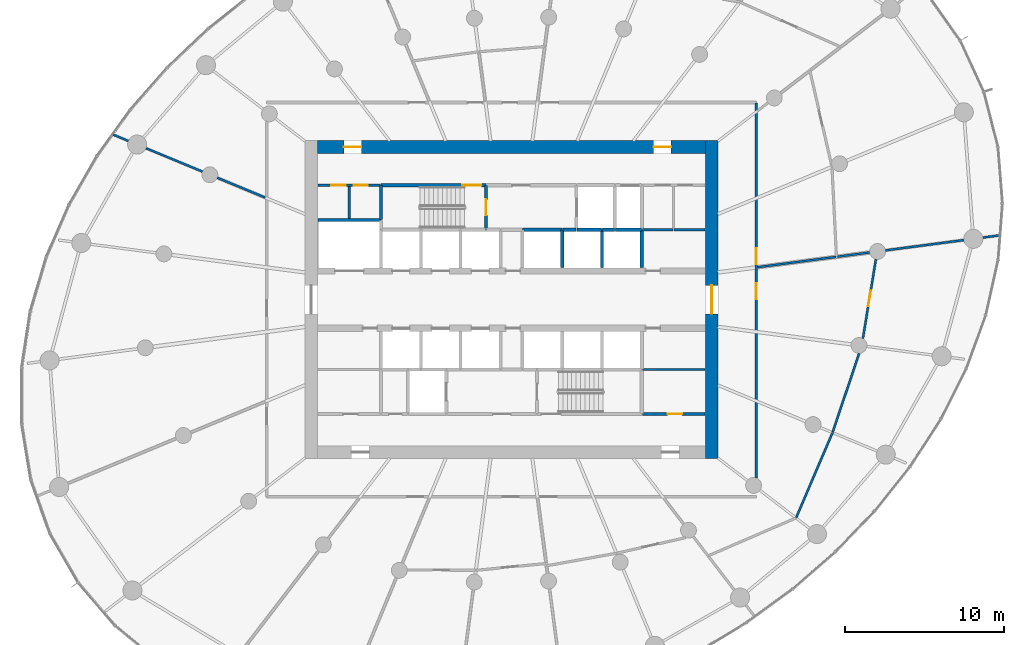
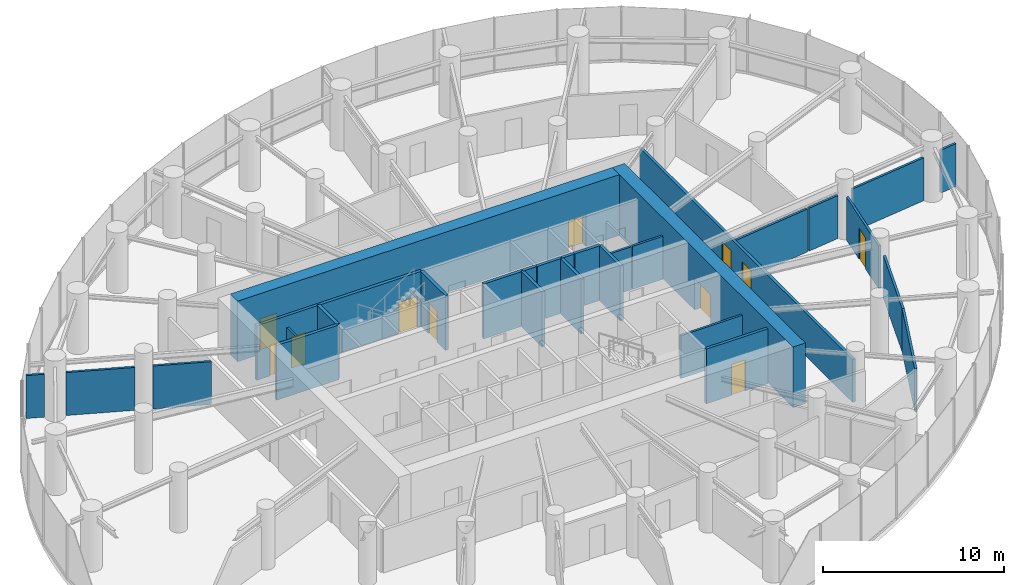
# One storey, part 12 of 17: 31 walls, 11 doors, 11 openings.
"""IFC4 building model written with IfcOpenShell, lengths in metres."""

from ifc_helpers import new_model, si_unit, direction, frame, frame_2d, origin, place, context, subcontext, project, spatial, rectangle, extrude, source, transform, mapped, material, layer, layer_set, type_object, element, fill, save


model = new_model("IFC4")

# Units and contexts
model_context = context("Model", 3, precision=1e-05, world=origin(), true_north=direction((0.0, 1.0)))
body_context = subcontext(model_context, "Body", "Model", "MODEL_VIEW")
ifc_project = project(units=[si_unit("LENGTHUNIT", "METRE"), si_unit("AREAUNIT", "SQUARE_METRE"), si_unit("VOLUMEUNIT", "CUBIC_METRE"), si_unit("PLANEANGLEUNIT", "RADIAN"), si_unit("MASSUNIT", "GRAM", prefix="KILO")], contexts=[model_context])

# Site, building, storey
site_placement = place(None, origin())
site = spatial("IfcSite", under=ifc_project, at=site_placement, CompositionType="ELEMENT")
building_placement = place(site_placement, origin())
building = spatial("IfcBuilding", under=site, at=building_placement, Name="Spindrift Exchange Tower", CompositionType="ELEMENT")
storey_placement = place(building_placement, frame((0.0, 0.0, 120.800048828125)))
storey = spatial("IfcBuildingStorey", under=building, at=storey_placement, Name="L28", CompositionType="ELEMENT", Elevation=120.800048828125)

# Wall, opening, door
ifc_material_1 = material(Name="Concrete 65 MPa", Category="concrete")
ifc_layer_1 = layer(ifc_material_1, 0.800048828125)
ifc_layer_set_1 = layer_set([ifc_layer_1], Name="RC Core Wall 800 Concrete 65 MPa")
wall_type_1 = type_object("IfcWallType", Name="RC Core Wall 800 Concrete 65 MPa", PredefinedType="SHEAR", material=ifc_layer_set_1)
wall_1_placement = place(storey_placement, frame((64.60009765625, 38.0, 0.0), z_axis=(0.0, 0.0, 1.0), x_axis=(0.0, 1.0, 0.0)))
wall_1 = element("IfcWall", 1, at=wall_1_placement, inside=storey, type_object=wall_type_1, Name="Core wall E L28", PredefinedType="SHEAR", context=body_context, shape_type="SweptSolid", body=[
    extrude(rectangle(XDim=20.0, YDim=0.800048828125, at=frame_2d((10.0, 0.0))), origin(), (0.0, 0.0, 1.0), 4.099853515625),
])
opening_1_placement = place(wall_1_placement, frame((9.10009765625, 0.0, 0.0)))
opening_1 = element("IfcOpeningElement", 2, at=opening_1_placement, cuts=wall_1, Name="Opening L28-D2", PredefinedType="OPENING", context=body_context, shape_type="SweptSolid", body=[
    extrude(rectangle(XDim=1.800048828125, YDim=2.10009765625, at=frame_2d((0.89990234375, 1.050048828125))), frame((0.0, 0.409912109375, 0.0), z_axis=(0.0, -1.0, 0.0), x_axis=(1.0, 0.0, 0.0)), (0.0, 0.0, 1.0), 0.820068359375),
])
ifc_material_2 = material(Name="Timber-core fire door", Category="wood")
door_type_1 = type_object("IfcDoorType", Name="DR-LOBBY-1800", OperationType="NOTDEFINED", PredefinedType="DOOR", material=ifc_material_2)
shared_shape_1 = source(origin(), body_context, "Body", "SweptSolid", [
    extrude(rectangle(XDim=1.800048828125, YDim=2.10009765625, at=frame_2d((0.89990234375, 1.050048828125))), frame((0.0, 0.02490234375, 0.0), z_axis=(0.0, -1.0, 0.0), x_axis=(1.0, 0.0, 0.0)), (0.0, 0.0, 1.0), 0.050048828125),
])
door_1_placement = place(opening_1_placement, origin())
door_1 = element("IfcDoor", 3, at=door_1_placement, inside=storey, type_object=door_type_1, Name="L28 Lobby door 2", OperationType="SINGLE_SWING_LEFT", OverallHeight=2.10009765625, OverallWidth=1.800048828125, PredefinedType="DOOR", context=body_context, shape_type="MappedRepresentation", body=[
    mapped(shared_shape_1, transform((0.0, 0.0, 0.0), scale=1.0)),
])
fill(opening_1, door_1)

# Wall, openings, doors
wall_2_placement = place(storey_placement, frame((64.199951171875, 57.60009765625, 0.0), z_axis=(0.0, 0.0, 1.0), x_axis=(-1.0, 0.0, 0.0)))
wall_2 = element("IfcWall", 4, at=wall_2_placement, inside=storey, type_object=wall_type_1, Name="Core wall N L28", PredefinedType="SHEAR", context=body_context, shape_type="SweptSolid", body=[
    extrude(rectangle(XDim=24.39990234375, YDim=0.800048828125, at=frame_2d((12.199951171875, 0.0))), origin(), (0.0, 0.0, 1.0), 4.099853515625),
])
opening_2_placement = place(wall_2_placement, frame((21.64990234375, 0.0, 0.0)))
opening_2 = element("IfcOpeningElement", 5, at=opening_2_placement, cuts=wall_2, Name="Opening L28-D20", PredefinedType="OPENING", context=body_context, shape_type="SweptSolid", body=[
    extrude(rectangle(XDim=1.10009765625, YDim=2.10009765625, at=frame_2d((0.550048828125, 1.050048828125))), frame((0.0, 0.409912109375, 0.0), z_axis=(0.0, -1.0, 0.0), x_axis=(1.0, 0.0, 0.0)), (0.0, 0.0, 1.0), 0.820068359375),
])
opening_3_placement = place(wall_2_placement, frame((2.14990234375, 0.0, 0.0)))
opening_3 = element("IfcOpeningElement", 6, at=opening_3_placement, cuts=wall_2, Name="Opening L28-D21", PredefinedType="OPENING", context=body_context, shape_type="SweptSolid", body=[
    extrude(rectangle(XDim=1.10009765625, YDim=2.10009765625, at=frame_2d((0.550048828125, 1.050048828125))), frame((0.0, 0.409912109375, 0.0), z_axis=(0.0, -1.0, 0.0), x_axis=(1.0, 0.0, 0.0)), (0.0, 0.0, 1.0), 0.820068359375),
])
ifc_material_3 = material(Name="Steel fire door", Category="steel")
door_type_2 = type_object("IfcDoorType", Name="DR-STAIR-1100", OperationType="NOTDEFINED", PredefinedType="DOOR", material=ifc_material_3)
shared_shape_2 = source(origin(), body_context, "Body", "SweptSolid", [
    extrude(rectangle(XDim=1.10009765625, YDim=2.10009765625, at=frame_2d((0.550048828125, 1.050048828125))), frame((0.0, 0.02490234375, 0.0), z_axis=(0.0, -1.0, 0.0), x_axis=(1.0, 0.0, 0.0)), (0.0, 0.0, 1.0), 0.050048828125),
])
door_2_placement = place(opening_2_placement, origin())
door_2 = element("IfcDoor", 7, at=door_2_placement, inside=storey, type_object=door_type_2, Name="L28 Stair door 20", OperationType="SINGLE_SWING_LEFT", OverallHeight=2.10009765625, OverallWidth=1.10009765625, PredefinedType="DOOR", context=body_context, shape_type="MappedRepresentation", body=[
    mapped(shared_shape_2, transform((0.0, 0.0, 0.0), scale=1.0)),
])
fill(opening_2, door_2)
door_3_placement = place(opening_3_placement, origin())
door_3 = element("IfcDoor", 8, at=door_3_placement, inside=storey, type_object=door_type_2, Name="L28 Stair door 21", OperationType="SINGLE_SWING_RIGHT", OverallHeight=2.10009765625, OverallWidth=1.10009765625, PredefinedType="DOOR", context=body_context, shape_type="MappedRepresentation", body=[
    mapped(shared_shape_2, transform((0.0, 0.0, 0.0), scale=1.0)),
])
fill(opening_3, door_3)

# Wall, opening, door
ifc_material_4 = material(Name="Fire-rated plasterboard partition", Category="gypsum")
ifc_layer_2 = layer(ifc_material_4, 0.179931640625)
ifc_layer_set_2 = layer_set([ifc_layer_2], Name="W-CORR-180")
wall_type_2 = type_object("IfcWallType", Name="W-CORR-180", PredefinedType="PARTITIONING", material=ifc_layer_set_2)
wall_3_placement = place(storey_placement, frame((60.22998046875, 40.800048828125, 0.0), z_axis=(0.0, 0.0, 1.0), x_axis=(1.0, 0.0, 0.0)))
wall_3 = element("IfcWall", 9, at=wall_3_placement, inside=storey, type_object=wall_type_2, Name="L28 Partition wall 61", PredefinedType="PARTITIONING", context=body_context, shape_type="SweptSolid", body=[
    extrude(rectangle(XDim=3.949951171875, YDim=0.179931640625, at=frame_2d((1.97509765625, 0.0))), origin(), (0.0, 0.0, 1.0), 3.699951171875),
])
opening_4_placement = place(wall_3_placement, frame((1.60009765625, 0.0, 0.0)))
opening_4 = element("IfcOpeningElement", 10, at=opening_4_placement, cuts=wall_3, Name="Opening L28-D51", PredefinedType="OPENING", context=body_context, shape_type="SweptSolid", body=[
    extrude(rectangle(XDim=0.89990234375, YDim=2.10009765625, at=frame_2d((0.449951171875, 1.050048828125))), frame((0.0, 0.099853515625, 0.0), z_axis=(0.0, -1.0, 0.0), x_axis=(1.0, 0.0, 0.0)), (0.0, 0.0, 1.0), 0.199951171875),
])
ifc_material_5 = material(Name="Steel access door", Category="steel")
door_type_3 = type_object("IfcDoorType", Name="DR-RISER-900", OperationType="NOTDEFINED", PredefinedType="DOOR", material=ifc_material_5)
shared_shape_3 = source(origin(), body_context, "Body", "SweptSolid", [
    extrude(rectangle(XDim=0.89990234375, YDim=2.10009765625, at=frame_2d((0.449951171875, 1.050048828125))), frame((0.0, 0.02490234375, 0.0), z_axis=(0.0, -1.0, 0.0), x_axis=(1.0, 0.0, 0.0)), (0.0, 0.0, 1.0), 0.050048828125),
])
door_4_placement = place(opening_4_placement, origin())
door_4 = element("IfcDoor", 11, at=door_4_placement, inside=storey, type_object=door_type_3, Name="L28 Riser door 51", OperationType="SINGLE_SWING_RIGHT", OverallHeight=2.10009765625, OverallWidth=0.89990234375, PredefinedType="DOOR", context=body_context, shape_type="MappedRepresentation", body=[
    mapped(shared_shape_3, transform((0.0, 0.0, 0.0), scale=1.0)),
])
fill(opening_4, door_4)

# Wall, openings, doors
wall_4_placement = place(storey_placement, frame((43.77001953125, 55.199951171875, 0.0), z_axis=(0.0, 0.0, 1.0), x_axis=(-1.0, 0.0, 0.0)))
wall_4 = element("IfcWall", 12, at=wall_4_placement, inside=storey, type_object=wall_type_2, Name="L28 Partition wall 64", PredefinedType="PARTITIONING", context=body_context, shape_type="SweptSolid", body=[
    extrude(rectangle(XDim=3.949951171875, YDim=0.179931640625, at=frame_2d((1.97509765625, 0.0))), origin(), (0.0, 0.0, 1.0), 3.699951171875),
])
opening_5_placement = place(wall_4_placement, frame((2.199951171875, 0.0, 0.0)))
opening_5 = element("IfcOpeningElement", 13, at=opening_5_placement, cuts=wall_4, Name="Opening L28-D44", PredefinedType="OPENING", context=body_context, shape_type="SweptSolid", body=[
    extrude(rectangle(XDim=0.89990234375, YDim=2.10009765625, at=frame_2d((0.449951171875, 1.050048828125))), frame((0.0, 0.099853515625, 0.0), z_axis=(0.0, -1.0, 0.0), x_axis=(1.0, 0.0, 0.0)), (0.0, 0.0, 1.0), 0.199951171875),
])
opening_6_placement = place(wall_4_placement, frame((0.800048828125, 0.0, 0.0)))
opening_6 = element("IfcOpeningElement", 14, at=opening_6_placement, cuts=wall_4, Name="Opening L28-D45", PredefinedType="OPENING", context=body_context, shape_type="SweptSolid", body=[
    extrude(rectangle(XDim=0.89990234375, YDim=2.10009765625, at=frame_2d((0.449951171875, 1.050048828125))), frame((0.0, 0.099853515625, 0.0), z_axis=(0.0, -1.0, 0.0), x_axis=(1.0, 0.0, 0.0)), (0.0, 0.0, 1.0), 0.199951171875),
])
door_5_placement = place(opening_5_placement, origin())
door_5 = element("IfcDoor", 15, at=door_5_placement, inside=storey, type_object=door_type_3, Name="L28 Riser door 44", OperationType="SINGLE_SWING_LEFT", OverallHeight=2.10009765625, OverallWidth=0.89990234375, PredefinedType="DOOR", context=body_context, shape_type="MappedRepresentation", body=[
    mapped(shared_shape_3, transform((0.0, 0.0, 0.0), scale=1.0)),
])
fill(opening_5, door_5)
door_6_placement = place(opening_6_placement, origin())
door_6 = element("IfcDoor", 16, at=door_6_placement, inside=storey, type_object=door_type_3, Name="L28 Riser door 45", OperationType="SINGLE_SWING_RIGHT", OverallHeight=2.10009765625, OverallWidth=0.89990234375, PredefinedType="DOOR", context=body_context, shape_type="MappedRepresentation", body=[
    mapped(shared_shape_3, transform((0.0, 0.0, 0.0), scale=1.0)),
])
fill(opening_6, door_6)

# Walls
ifc_layer_3 = layer(ifc_material_4, 0.139892578125)
ifc_layer_set_3 = layer_set([ifc_layer_3], Name="W-PART-140")
wall_type_3 = type_object("IfcWallType", Name="W-PART-140", PredefinedType="PARTITIONING", material=ifc_layer_set_3)
wall_5_placement = place(storey_placement, frame((75.533935546875, 51.098388671875, 0.0), z_axis=(0.0, 0.0, 1.0), x_axis=(0.991443414541, 0.130537181533, 0.0)))
element("IfcWall", 17, at=wall_5_placement, inside=storey, type_object=wall_type_3, Name="L28 Partition wall 80", PredefinedType="PARTITIONING", context=body_context, shape_type="SweptSolid", body=[
    extrude(rectangle(XDim=4.965576171875, YDim=0.139892578125, at=frame_2d((2.48291015625, 0.0))), origin(), (0.0, 0.0, 1.0), 2.89990234375),
])
wall_6_placement = place(storey_placement, frame((60.22998046875, 43.60009765625, 0.0), z_axis=(0.0, 0.0, 1.0), x_axis=(1.0, 0.0, 0.0)))
element("IfcWall", 18, at=wall_6_placement, inside=storey, type_object=wall_type_3, Name="L28 Partition wall 93", PredefinedType="PARTITIONING", context=body_context, shape_type="SweptSolid", body=[
    extrude(rectangle(XDim=3.949951171875, YDim=0.139892578125, at=frame_2d((1.97509765625, 0.0))), origin(), (0.0, 0.0, 1.0), 2.89990234375),
])
wall_7_placement = place(storey_placement, frame((41.800048828125, 53.10009765625, 0.0), z_axis=(0.0, 0.0, 1.0), x_axis=(0.0, 1.0, 0.0)))
element("IfcWall", 19, at=wall_7_placement, inside=storey, type_object=wall_type_3, Name="L28 Partition wall 106", PredefinedType="PARTITIONING", context=body_context, shape_type="SweptSolid", body=[
    extrude(rectangle(XDim=2.010009765625, YDim=0.139892578125, at=frame_2d((1.0048828125, 0.0))), origin(), (0.0, 0.0, 1.0), 2.89990234375),
])
wall_8_placement = place(storey_placement, frame((62.169921875, 52.39990234375, 0.0), z_axis=(0.0, 0.0, 1.0), x_axis=(-1.0, 0.0, 0.0)))
element("IfcWall", 20, at=wall_8_placement, inside=storey, type_object=wall_type_3, Name="L28 Partition wall 113", PredefinedType="PARTITIONING", context=body_context, shape_type="SweptSolid", body=[
    extrude(rectangle(XDim=1.93994140625, YDim=0.139892578125, at=frame_2d((0.969970703125, 0.0))), origin(), (0.0, 0.0, 1.0), 2.89990234375),
])
wall_9_placement = place(storey_placement, frame((64.179931640625, 52.39990234375, 0.0), z_axis=(0.0, 0.0, 1.0), x_axis=(-1.0, 0.0, 0.0)))
element("IfcWall", 21, at=wall_9_placement, inside=storey, type_object=wall_type_3, Name="L28 Partition wall 114", PredefinedType="PARTITIONING", context=body_context, shape_type="SweptSolid", body=[
    extrude(rectangle(XDim=1.949951171875, YDim=0.139892578125, at=frame_2d((0.97509765625, 0.0))), origin(), (0.0, 0.0, 1.0), 2.89990234375),
])
wall_10_placement = place(storey_placement, frame((81.655517578125, 51.904296875, 0.0), z_axis=(0.0, 0.0, 1.0), x_axis=(0.991445519925, 0.130521189931, 0.0)))
element("IfcWall", 22, at=wall_10_placement, inside=storey, type_object=wall_type_3, Name="L28 Partition wall 123", PredefinedType="PARTITIONING", context=body_context, shape_type="SweptSolid", body=[
    extrude(rectangle(XDim=1.0419921875, YDim=0.139892578125, at=frame_2d((0.52099609375, 0.0))), origin(), (0.0, 0.0, 1.0), 2.89990234375),
])
ifc_layer_4 = layer(ifc_material_4, 0.139892578125)
ifc_layer_set_4 = layer_set([ifc_layer_4], Name="W-PLANT-140")
wall_type_4 = type_object("IfcWallType", Name="W-PLANT-140", PredefinedType="PARTITIONING", material=ifc_layer_set_4)
wall_11_placement = place(storey_placement, frame((69.913818359375, 34.290771484375, 0.0), z_axis=(0.0, 0.0, 1.0), x_axis=(0.393178832884, 0.919462019538, 0.0)))
element("IfcWall", 23, at=wall_11_placement, inside=storey, type_object=wall_type_4, Name="L28 Partition wall 72", PredefinedType="PARTITIONING", context=body_context, shape_type="SweptSolid", body=[
    extrude(rectangle(XDim=5.810791015625, YDim=0.139892578125, at=frame_2d((2.9052734375, 0.0))), origin(), (0.0, 0.0, 1.0), 2.89990234375),
])
wall_12_placement = place(storey_placement, frame((72.2080078125, 39.661865234375, 0.0), z_axis=(0.0, 0.0, 1.0), x_axis=(0.318132842264, 0.948046145856, 0.0)))
element("IfcWall", 24, at=wall_12_placement, inside=storey, type_object=wall_type_4, Name="L28 Partition wall 76", PredefinedType="PARTITIONING", context=body_context, shape_type="SweptSolid", body=[
    extrude(rectangle(XDim=5.226806640625, YDim=0.139892578125, at=frame_2d((2.61328125, 0.0))), origin(), (0.0, 0.0, 1.0), 2.89990234375),
])
wall_13_placement = place(storey_placement, frame((67.489990234375, 50.039306640625, 0.0), z_axis=(0.0, 0.0, 1.0), x_axis=(0.991445927378, 0.130518094863, 0.0)))
element("IfcWall", 25, at=wall_13_placement, inside=storey, type_object=wall_type_4, Name="L28 Partition wall 78", PredefinedType="PARTITIONING", context=body_context, shape_type="SweptSolid", body=[
    extrude(rectangle(XDim=4.96630859375, YDim=0.139892578125, at=frame_2d((2.483154296875, 0.0))), origin(), (0.0, 0.0, 1.0), 2.89990234375),
])

# Wall, opening, door
wall_14_placement = place(storey_placement, frame((74.927490234375, 50.5390625, 0.0), z_axis=(0.0, 0.0, 1.0), x_axis=(-0.16231055227, -0.986739724863, 0.0)))
wall_14 = element("IfcWall", 26, at=wall_14_placement, inside=storey, type_object=wall_type_4, Name="L28 Partition wall 79", PredefinedType="PARTITIONING", context=body_context, shape_type="SweptSolid", body=[
    extrude(rectangle(XDim=5.04345703125, YDim=0.139892578125, at=frame_2d((2.521728515625, 0.0))), origin(), (0.0, 0.0, 1.0), 2.89990234375),
])
opening_7_placement = place(wall_14_placement, frame((1.993408203125, 0.0, 0.0)))
opening_7 = element("IfcOpeningElement", 27, at=opening_7_placement, cuts=wall_14, Name="Opening L28-D37", PredefinedType="OPENING", context=body_context, shape_type="SweptSolid", body=[
    extrude(rectangle(XDim=1.0, YDim=2.10009765625, at=frame_2d((0.5, 1.050048828125))), frame((0.0, 0.079833984375, 0.0), z_axis=(0.0, -1.0, 0.0), x_axis=(1.0, 0.0, 0.0)), (0.0, 0.0, 1.0), 0.159912109375),
])
door_type_4 = type_object("IfcDoorType", Name="DR-ROOM-1000", OperationType="NOTDEFINED", PredefinedType="DOOR", material=ifc_material_2)
shared_shape_4 = source(origin(), body_context, "Body", "SweptSolid", [
    extrude(rectangle(XDim=1.0, YDim=2.10009765625, at=frame_2d((0.5, 1.050048828125))), frame((0.0, 0.02490234375, 0.0), z_axis=(0.0, -1.0, 0.0), x_axis=(1.0, 0.0, 0.0)), (0.0, 0.0, 1.0), 0.050048828125),
])
door_7_placement = place(opening_7_placement, origin())
door_7 = element("IfcDoor", 28, at=door_7_placement, inside=storey, type_object=door_type_4, Name="L28 Door 37", OperationType="SINGLE_SWING_RIGHT", OverallHeight=2.10009765625, OverallWidth=1.0, PredefinedType="DOOR", context=body_context, shape_type="MappedRepresentation", body=[
    mapped(shared_shape_4, transform((0.0, 0.0, 0.0), scale=1.0)),
])
fill(opening_7, door_7)

# Walls
wall_15_placement = place(storey_placement, frame((32.560791015625, 56.052001953125, 0.0), z_axis=(0.0, 0.0, 1.0), x_axis=(-0.923885171168, 0.38266981916, 0.0)))
element("IfcWall", 29, at=wall_15_placement, inside=storey, type_object=wall_type_4, Name="L28 Partition wall 96", PredefinedType="PARTITIONING", context=body_context, shape_type="SweptSolid", body=[
    extrude(rectangle(XDim=3.842041015625, YDim=0.139892578125, at=frame_2d((1.9208984375, 0.0))), origin(), (0.0, 0.0, 1.0), 2.89990234375),
])
wall_16_placement = place(storey_placement, frame((36.510009765625, 54.416259765625, 0.0), z_axis=(0.0, 0.0, 1.0), x_axis=(-0.923911109142, 0.382607190737, 0.0)))
element("IfcWall", 30, at=wall_16_placement, inside=storey, type_object=wall_type_4, Name="L28 Partition wall 98", PredefinedType="PARTITIONING", context=body_context, shape_type="SweptSolid", body=[
    extrude(rectangle(XDim=3.264404296875, YDim=0.139892578125, at=frame_2d((1.63232421875, 0.0))), origin(), (0.0, 0.0, 1.0), 2.89990234375),
])
wall_17_placement = place(storey_placement, frame((72.51318359375, 50.70068359375, 0.0), z_axis=(0.0, 0.0, 1.0), x_axis=(0.991453480012, 0.130460710456, 0.0)))
element("IfcWall", 31, at=wall_17_placement, inside=storey, type_object=wall_type_4, Name="L28 Partition wall 112", PredefinedType="PARTITIONING", context=body_context, shape_type="SweptSolid", body=[
    extrude(rectangle(XDim=2.037841796875, YDim=0.139892578125, at=frame_2d((1.01904296875, 0.0))), origin(), (0.0, 0.0, 1.0), 2.89990234375),
])
wall_18_placement = place(storey_placement, frame((27.893310546875, 57.9853515625, 0.0), z_axis=(0.0, 0.0, 1.0), x_axis=(-0.92388760878, 0.382663933945, 0.0)))
element("IfcWall", 32, at=wall_18_placement, inside=storey, type_object=wall_type_4, Name="L28 Partition wall 124", PredefinedType="PARTITIONING", context=body_context, shape_type="SweptSolid", body=[
    extrude(rectangle(XDim=1.01318359375, YDim=0.139892578125, at=frame_2d((0.506591796875, 0.0))), origin(), (0.0, 0.0, 1.0), 2.89990234375),
])

# Wall, openings, doors
ifc_layer_5 = layer(ifc_material_4, 0.179931640625)
ifc_layer_set_5 = layer_set([ifc_layer_5], Name="W-PLANT-180")
wall_type_5 = type_object("IfcWallType", Name="W-PLANT-180", PredefinedType="PARTITIONING", material=ifc_layer_set_5)
wall_19_placement = place(storey_placement, frame((67.39990234375, 60.3701171875, 0.0), z_axis=(0.0, 0.0, 1.0), x_axis=(0.0, -1.0, 0.0)))
wall_19 = element("IfcWall", 33, at=wall_19_placement, inside=storey, type_object=wall_type_5, Name="L28 Partition wall 59", PredefinedType="PARTITIONING", context=body_context, shape_type="SweptSolid", body=[
    extrude(rectangle(XDim=23.58251953125, YDim=0.179931640625, at=frame_2d((11.791259765625, 0.0))), origin(), (0.0, 0.0, 1.0), 2.89990234375),
])
opening_8_placement = place(wall_19_placement, frame((11.33251953125, 0.0, 0.0)))
opening_8 = element("IfcOpeningElement", 34, at=opening_8_placement, cuts=wall_19, Name="Opening L28-D36", PredefinedType="OPENING", context=body_context, shape_type="SweptSolid", body=[
    extrude(rectangle(XDim=1.0, YDim=2.10009765625, at=frame_2d((0.5, 1.050048828125))), frame((0.0, 0.099853515625, 0.0), z_axis=(0.0, -1.0, 0.0), x_axis=(1.0, 0.0, 0.0)), (0.0, 0.0, 1.0), 0.199951171875),
])
opening_9_placement = place(wall_19_placement, frame((9.132568359375, 0.0, 0.0)))
opening_9 = element("IfcOpeningElement", 35, at=opening_9_placement, cuts=wall_19, Name="Opening L28-D38", PredefinedType="OPENING", context=body_context, shape_type="SweptSolid", body=[
    extrude(rectangle(XDim=1.0, YDim=2.10009765625, at=frame_2d((0.5, 1.050048828125))), frame((0.0, 0.099853515625, 0.0), z_axis=(0.0, -1.0, 0.0), x_axis=(1.0, 0.0, 0.0)), (0.0, 0.0, 1.0), 0.199951171875),
])
door_8_placement = place(opening_8_placement, origin())
door_8 = element("IfcDoor", 36, at=door_8_placement, inside=storey, type_object=door_type_4, Name="L28 Door 36", OperationType="SINGLE_SWING_LEFT", OverallHeight=2.10009765625, OverallWidth=1.0, PredefinedType="DOOR", context=body_context, shape_type="MappedRepresentation", body=[
    mapped(shared_shape_4, transform((0.0, 0.0, 0.0), scale=1.0)),
])
fill(opening_8, door_8)
door_9_placement = place(opening_9_placement, origin())
door_9 = element("IfcDoor", 37, at=door_9_placement, inside=storey, type_object=door_type_4, Name="L28 Door 38", OperationType="SINGLE_SWING_LEFT", OverallHeight=2.10009765625, OverallWidth=1.0, PredefinedType="DOOR", context=body_context, shape_type="MappedRepresentation", body=[
    mapped(shared_shape_4, transform((0.0, 0.0, 0.0), scale=1.0)),
])
fill(opening_9, door_9)

# Walls
ifc_material_6 = material(Name="Concrete 40 MPa", Category="concrete")
ifc_layer_6 = layer(ifc_material_6, 0.199951171875)
ifc_layer_set_6 = layer_set([ifc_layer_6], Name="W-SHAFT-200")
wall_type_6 = type_object("IfcWallType", Name="W-SHAFT-200", PredefinedType="SOLIDWALL", material=ifc_layer_set_6)
wall_20_placement = place(storey_placement, frame((55.199951171875, 52.39990234375, 0.0), z_axis=(0.0, 0.0, 1.0), x_axis=(-1.0, 0.0, 0.0)))
element("IfcWall", 38, at=wall_20_placement, inside=storey, type_object=wall_type_6, Name="L28 Shaft wall 18", PredefinedType="SOLIDWALL", context=body_context, shape_type="SweptSolid", body=[
    extrude(rectangle(XDim=2.5, YDim=0.199951171875, at=frame_2d((1.25, 0.0))), origin(), (0.0, 0.0, 1.0), 3.699951171875),
])
wall_21_placement = place(storey_placement, frame((55.199951171875, 50.010009765625, 0.0), z_axis=(0.0, 0.0, 1.0), x_axis=(0.0, 1.0, 0.0)))
element("IfcWall", 39, at=wall_21_placement, inside=storey, type_object=wall_type_6, Name="L28 Shaft wall 34", PredefinedType="SOLIDWALL", context=body_context, shape_type="SweptSolid", body=[
    extrude(rectangle(XDim=2.360107421875, YDim=0.199951171875, at=frame_2d((1.18017578125, 0.0))), origin(), (0.0, 0.0, 1.0), 3.699951171875),
])
wall_22_placement = place(storey_placement, frame((57.699951171875, 50.010009765625, 0.0), z_axis=(0.0, 0.0, 1.0), x_axis=(0.0, 1.0, 0.0)))
element("IfcWall", 40, at=wall_22_placement, inside=storey, type_object=wall_type_6, Name="L28 Shaft wall 36", PredefinedType="SOLIDWALL", context=body_context, shape_type="SweptSolid", body=[
    extrude(rectangle(XDim=2.389892578125, YDim=0.199951171875, at=frame_2d((1.19482421875, 0.0))), origin(), (0.0, 0.0, 1.0), 3.699951171875),
])
wall_23_placement = place(storey_placement, frame((60.199951171875, 50.010009765625, 0.0), z_axis=(0.0, 0.0, 1.0), x_axis=(0.0, 1.0, 0.0)))
element("IfcWall", 41, at=wall_23_placement, inside=storey, type_object=wall_type_6, Name="L28 Shaft wall 38", PredefinedType="SOLIDWALL", context=body_context, shape_type="SweptSolid", body=[
    extrude(rectangle(XDim=2.360107421875, YDim=0.199951171875, at=frame_2d((1.18017578125, 0.0))), origin(), (0.0, 0.0, 1.0), 3.699951171875),
])
wall_24_placement = place(storey_placement, frame((60.169921875, 52.39990234375, 0.0), z_axis=(0.0, 0.0, 1.0), x_axis=(-1.0, 0.0, 0.0)))
element("IfcWall", 42, at=wall_24_placement, inside=storey, type_object=wall_type_6, Name="L28 Shaft wall 42", PredefinedType="SOLIDWALL", context=body_context, shape_type="SweptSolid", body=[
    extrude(rectangle(XDim=1.639892578125, YDim=0.199951171875, at=frame_2d((0.81982421875, 0.0))), origin(), (0.0, 0.0, 1.0), 3.699951171875),
])
wall_25_placement = place(storey_placement, frame((57.669921875, 52.39990234375, 0.0), z_axis=(0.0, 0.0, 1.0), x_axis=(-1.0, 0.0, 0.0)))
element("IfcWall", 43, at=wall_25_placement, inside=storey, type_object=wall_type_6, Name="L28 Shaft wall 47", PredefinedType="SOLIDWALL", context=body_context, shape_type="SweptSolid", body=[
    extrude(rectangle(XDim=1.5400390625, YDim=0.199951171875, at=frame_2d((0.77001953125, 0.0))), origin(), (0.0, 0.0, 1.0), 3.699951171875),
])
wall_26_placement = place(storey_placement, frame((56.070068359375, 52.39990234375, 0.0), z_axis=(0.0, 0.0, 1.0), x_axis=(-1.0, 0.0, 0.0)))
element("IfcWall", 44, at=wall_26_placement, inside=storey, type_object=wall_type_6, Name="L28 Shaft wall 53", PredefinedType="SOLIDWALL", context=body_context, shape_type="SweptSolid", body=[
    extrude(rectangle(XDim=0.840087890625, YDim=0.199951171875, at=frame_2d((0.419921875, 0.0))), origin(), (0.0, 0.0, 1.0), 3.699951171875),
])
wall_27_placement = place(storey_placement, frame((58.469970703125, 52.39990234375, 0.0), z_axis=(0.0, 0.0, 1.0), x_axis=(-1.0, 0.0, 0.0)))
element("IfcWall", 45, at=wall_27_placement, inside=storey, type_object=wall_type_6, Name="L28 Shaft wall 55", PredefinedType="SOLIDWALL", context=body_context, shape_type="SweptSolid", body=[
    extrude(rectangle(XDim=0.739990234375, YDim=0.199951171875, at=frame_2d((0.3701171875, 0.0))), origin(), (0.0, 0.0, 1.0), 3.699951171875),
])

# Wall, opening, door
ifc_layer_7 = layer(ifc_material_6, 0.199951171875)
ifc_layer_set_7 = layer_set([ifc_layer_7], Name="W-SHAFT-200-LB")
wall_type_7 = type_object("IfcWallType", Name="W-SHAFT-200-LB", PredefinedType="SOLIDWALL", material=ifc_layer_set_7)
wall_28_placement = place(storey_placement, frame((50.39990234375, 55.199951171875, 0.0), z_axis=(0.0, 0.0, 1.0), x_axis=(-1.0, 0.0, 0.0)))
wall_28 = element("IfcWall", 46, at=wall_28_placement, inside=storey, type_object=wall_type_7, Name="L28 Shaft wall 1", PredefinedType="SOLIDWALL", context=body_context, shape_type="SweptSolid", body=[
    extrude(rectangle(XDim=6.599853515625, YDim=0.199951171875, at=frame_2d((3.2998046875, 0.0))), origin(), (0.0, 0.0, 1.0), 3.699951171875),
])
opening_10_placement = place(wall_28_placement, frame((0.300048828125, 0.0, 0.0)))
opening_10 = element("IfcOpeningElement", 47, at=opening_10_placement, cuts=wall_28, Name="Opening L28-D13", PredefinedType="OPENING", context=body_context, shape_type="SweptSolid", body=[
    extrude(rectangle(XDim=1.199951171875, YDim=2.10009765625, at=frame_2d((0.60009765625, 1.050048828125))), frame((0.0, 0.10986328125, 0.0), z_axis=(0.0, -1.0, 0.0), x_axis=(1.0, 0.0, 0.0)), (0.0, 0.0, 1.0), 0.219970703125),
])
door_type_5 = type_object("IfcDoorType", Name="DR-STAIR-1200", OperationType="NOTDEFINED", PredefinedType="DOOR", material=ifc_material_3)
shared_shape_5 = source(origin(), body_context, "Body", "SweptSolid", [
    extrude(rectangle(XDim=1.199951171875, YDim=2.10009765625, at=frame_2d((0.60009765625, 1.050048828125))), frame((0.0, 0.02490234375, 0.0), z_axis=(0.0, -1.0, 0.0), x_axis=(1.0, 0.0, 0.0)), (0.0, 0.0, 1.0), 0.050048828125),
])
door_10_placement = place(opening_10_placement, origin())
door_10 = element("IfcDoor", 48, at=door_10_placement, inside=storey, type_object=door_type_5, Name="L28 Stair door 13", OperationType="SINGLE_SWING_RIGHT", OverallHeight=2.10009765625, OverallWidth=1.199951171875, PredefinedType="DOOR", context=body_context, shape_type="MappedRepresentation", body=[
    mapped(shared_shape_5, transform((0.0, 0.0, 0.0), scale=1.0)),
])
fill(opening_10, door_10)

# Wall
wall_29_placement = place(storey_placement, frame((43.800048828125, 53.0, 0.0), z_axis=(0.0, 0.0, 1.0), x_axis=(-1.0, 0.0, 0.0)))
element("IfcWall", 49, at=wall_29_placement, inside=storey, type_object=wall_type_7, Name="L28 Shaft wall 5", PredefinedType="SOLIDWALL", context=body_context, shape_type="SweptSolid", body=[
    extrude(rectangle(XDim=3.97998046875, YDim=0.199951171875, at=frame_2d((1.989990234375, 0.0))), origin(), (0.0, 0.0, 1.0), 3.699951171875),
])

# Wall, opening, door
wall_30_placement = place(storey_placement, frame((50.39990234375, 52.39990234375, 0.0), z_axis=(0.0, 0.0, 1.0), x_axis=(0.0, 1.0, 0.0)))
wall_30 = element("IfcWall", 50, at=wall_30_placement, inside=storey, type_object=wall_type_7, Name="L28 Shaft wall 9", PredefinedType="SOLIDWALL", context=body_context, shape_type="SweptSolid", body=[
    extrude(rectangle(XDim=2.77001953125, YDim=0.199951171875, at=frame_2d((1.385009765625, 0.0))), origin(), (0.0, 0.0, 1.0), 3.699951171875),
])
opening_11_placement = place(wall_30_placement, frame((0.89990234375, 0.0, 0.0)))
opening_11 = element("IfcOpeningElement", 51, at=opening_11_placement, cuts=wall_30, Name="Opening L28-D14", PredefinedType="OPENING", context=body_context, shape_type="SweptSolid", body=[
    extrude(rectangle(XDim=1.0, YDim=2.10009765625, at=frame_2d((0.5, 1.050048828125))), frame((0.0, 0.10986328125, 0.0), z_axis=(0.0, -1.0, 0.0), x_axis=(1.0, 0.0, 0.0)), (0.0, 0.0, 1.0), 0.219970703125),
])
door_type_6 = type_object("IfcDoorType", Name="DR-STAIR-1000", OperationType="NOTDEFINED", PredefinedType="DOOR", material=ifc_material_3)
shared_shape_6 = source(origin(), body_context, "Body", "SweptSolid", [
    extrude(rectangle(XDim=1.0, YDim=2.10009765625, at=frame_2d((0.5, 1.050048828125))), frame((0.0, 0.02490234375, 0.0), z_axis=(0.0, -1.0, 0.0), x_axis=(1.0, 0.0, 0.0)), (0.0, 0.0, 1.0), 0.050048828125),
])
door_11_placement = place(opening_11_placement, origin())
door_11 = element("IfcDoor", 52, at=door_11_placement, inside=storey, type_object=door_type_6, Name="L28 Stair door 14", OperationType="SINGLE_SWING_LEFT", OverallHeight=2.10009765625, OverallWidth=1.0, PredefinedType="DOOR", context=body_context, shape_type="MappedRepresentation", body=[
    mapped(shared_shape_6, transform((0.0, 0.0, 0.0), scale=1.0)),
])
fill(opening_11, door_11)

# Wall
wall_31_placement = place(storey_placement, frame((43.800048828125, 55.169921875, 0.0), z_axis=(0.0, 0.0, 1.0), x_axis=(0.0, -1.0, 0.0)))
element("IfcWall", 53, at=wall_31_placement, inside=storey, type_object=wall_type_7, Name="L28 Shaft wall 39", PredefinedType="SOLIDWALL", context=body_context, shape_type="SweptSolid", body=[
    extrude(rectangle(XDim=2.139892578125, YDim=0.199951171875, at=frame_2d((1.06982421875, 0.0))), origin(), (0.0, 0.0, 1.0), 3.699951171875),
])

save(model, "model.ifc")
